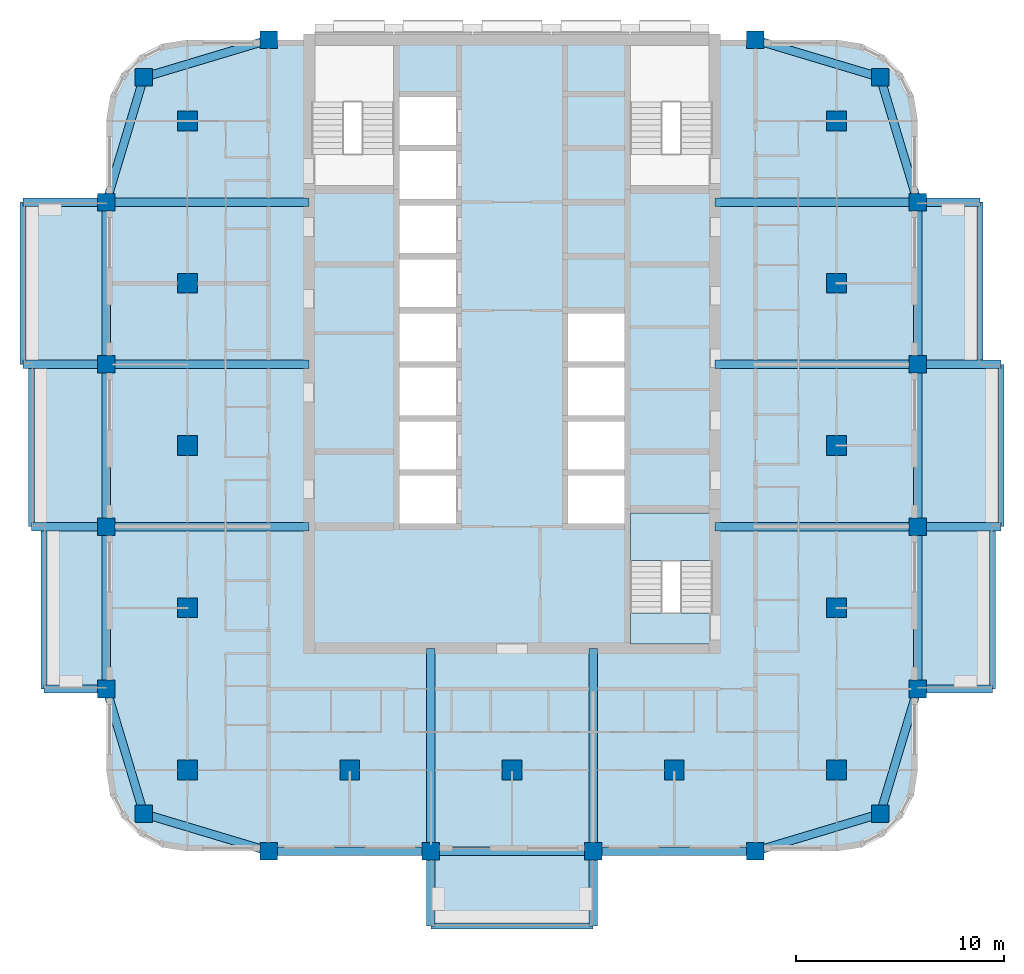
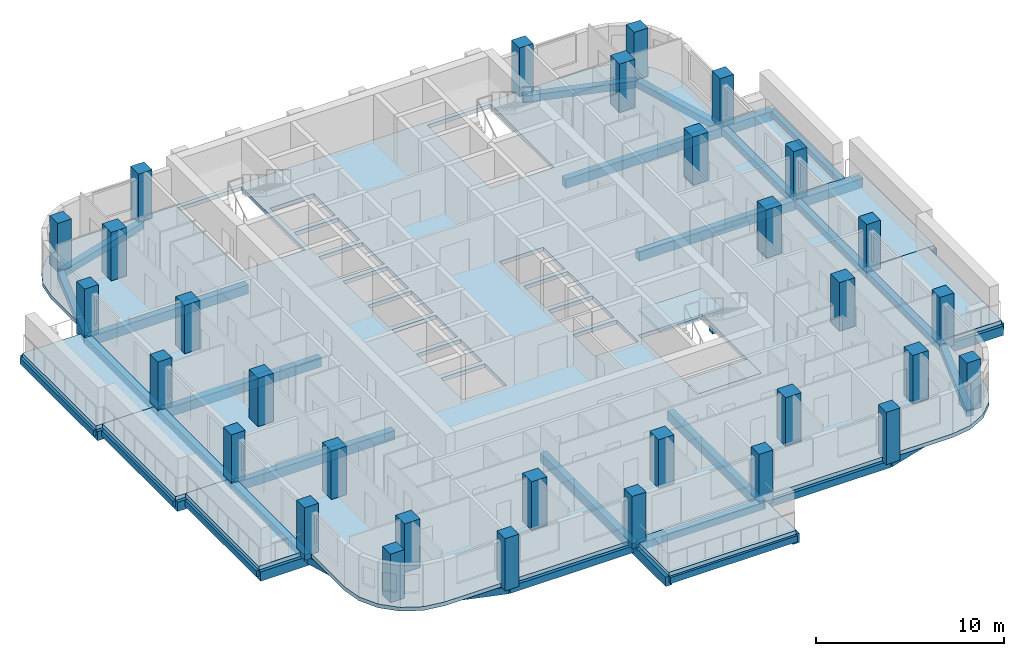
# One storey, part 1 of 13: 42 beams, 31 columns, 10 slabs, 1 element without a shape of its own.
"""IFC4 building model written with IfcOpenShell, lengths in metres."""

from ifc_helpers import new_model, si_unit, direction, frame, origin, origin_2d, place, context, subcontext, project, spatial, polyline, rectangle, outline, extrude, material, layer, layer_set, material_profile, profile_set, type_object, element, aggregate, save


model = new_model("IFC4")

# Units and contexts
model_context = context("Model", 3, precision=1e-05, world=origin(), true_north=direction((0.0, 1.0)))
body_context = subcontext(model_context, "Body", "Model", "MODEL_VIEW")
ifc_project = project(units=[si_unit("LENGTHUNIT", "METRE"), si_unit("AREAUNIT", "SQUARE_METRE"), si_unit("VOLUMEUNIT", "CUBIC_METRE"), si_unit("PLANEANGLEUNIT", "RADIAN"), si_unit("MASSUNIT", "GRAM", prefix="KILO")], contexts=[model_context])

# Site, building, storey
site_placement = place(None, origin())
site = spatial("IfcSite", under=ifc_project, at=site_placement, CompositionType="ELEMENT")
building_placement = place(site_placement, origin())
building = spatial("IfcBuilding", under=site, at=building_placement, Name="Ludao Terraces", CompositionType="ELEMENT")
storey_placement = place(building_placement, frame((0.0, 0.0, 130.5)))
storey = spatial("IfcBuildingStorey", under=building, at=storey_placement, Name="L35", CompositionType="ELEMENT", Elevation=130.5)

# Columns
ifc_material_1 = material(Name="Concrete C50", Category="concrete")
ifc_material_profile_1 = material_profile(ifc_material_1, rectangle(XDim=0.85009765625, YDim=0.85009765625, at=origin_2d()), Name="850 X 850")
ifc_profile_set_1 = profile_set([ifc_material_profile_1], Name="Concrete C50")
column_type_1 = type_object("IfcColumnType", Name="RC column 850x850 C50", PredefinedType="COLUMN", material=ifc_profile_set_1)
for number, where, z_axis, x_axis, name in (
    (1, (67.300048828125, 47.300048828125, -0.25), (0.0, 0.0, 1.0), (1.0, 0.0, 0.0), "Column L35 C0057x0057"),
    (2, (102.699951171875, 47.300048828125, -0.25), (0.0, 0.0, 1.0), (1.0, 0.0, 0.0), "Column L35 C0411x0057"),
    (3, (67.300048828125, 82.699951171875, -0.25), (0.0, 0.0, 1.0), (1.0, 0.0, 0.0), "Column L35 C0057x0411"),
    (4, (102.699951171875, 82.699951171875, -0.25), (0.0, 0.0, 1.0), (1.0, 0.0, 0.0), "Column L35 C0411x0411"),
    (5, (65.5, 53.300048828125, -0.25), (0.0, 0.0, 1.0), (1.0, 0.0, 0.0), "Column L35 W0039x0117"),
    (6, (104.5, 53.300048828125, -0.25), (0.0, 0.0, 1.0), (1.0, 0.0, 0.0), "Column L35 W0429x0117"),
    (7, (73.300048828125, 45.5, -0.25), (0.0, 0.0, 1.0), (1.0, 0.0, 0.0), "Column L35 W0117x0039"),
    (8, (73.300048828125, 84.5, -0.25), (0.0, 0.0, 1.0), (1.0, 0.0, 0.0), "Column L35 W0117x0429"),
    (9, (65.5, 61.10009765625, -0.25), (0.0, 0.0, 1.0), (1.0, 0.0, 0.0), "Column L35 W0039x0195"),
    (10, (104.5, 61.10009765625, -0.25), (0.0, 0.0, 1.0), (1.0, 0.0, 0.0), "Column L35 W0429x0195"),
    (11, (81.10009765625, 45.5, -0.25), (0.0, 0.0, 1.0), (1.0, 0.0, 0.0), "Column L35 W0195x0039"),
    (12, (65.5, 68.89990234375, -0.25), (0.0, 0.0, 1.0), (1.0, 0.0, 0.0), "Column L35 W0039x0273"),
    (13, (104.5, 68.89990234375, -0.25), (0.0, 0.0, 1.0), (1.0, 0.0, 0.0), "Column L35 W0429x0273"),
    (14, (88.89990234375, 45.5, -0.25), (0.0, 0.0, 1.0), (1.0, 0.0, 0.0), "Column L35 W0273x0039"),
    (15, (65.5, 76.699951171875, -0.25), (0.0, 0.0, 1.0), (1.0, 0.0, 0.0), "Column L35 W0039x0351"),
    (16, (104.5, 76.699951171875, -0.25), (0.0, 0.0, 1.0), (1.0, 0.0, 0.0), "Column L35 W0429x0351"),
    (17, (96.699951171875, 45.5, -0.25), (0.0, 0.0, 1.0), (1.0, 0.0, 0.0), "Column L35 W0351x0039"),
    (18, (96.699951171875, 84.5, -0.25), (0.0, 0.0, 1.0), (1.0, 0.0, 0.0), "Column L35 W0351x0429"),
):
    element("IfcColumn", number, at=place(storey_placement, frame(where, z_axis=z_axis, x_axis=x_axis)), inside=storey, type_object=column_type_1, Name=name, PredefinedType="COLUMN", context=body_context, shape_type="SweptSolid", body=[
        extrude(rectangle(XDim=0.85009765625, YDim=0.85009765625, at=origin_2d()), origin(), (0.0, 0.0, 1.0), 3.39990234375),
    ])
ifc_material_profile_2 = material_profile(ifc_material_1, rectangle(XDim=0.949951171875, YDim=0.949951171875, at=origin_2d()), Name="950 X 950")
ifc_profile_set_2 = profile_set([ifc_material_profile_2], Name="Concrete C50")
column_type_2 = type_object("IfcColumnType", Name="RC column 950x950 C50", PredefinedType="COLUMN", material=ifc_profile_set_2)
for number, where, z_axis, x_axis, name in (
    (19, (69.39990234375, 49.39990234375, -0.25), (0.0, 0.0, 1.0), (1.0, 0.0, 0.0), "Column L35 S0078x0078"),
    (20, (69.39990234375, 57.199951171875, -0.25), (0.0, 0.0, 1.0), (1.0, 0.0, 0.0), "Column L35 S0078x0156"),
    (21, (69.39990234375, 65.0, -0.25), (0.0, 0.0, 1.0), (1.0, 0.0, 0.0), "Column L35 S0078x0234"),
    (22, (69.39990234375, 72.800048828125, -0.25), (0.0, 0.0, 1.0), (1.0, 0.0, 0.0), "Column L35 S0078x0312"),
    (23, (69.39990234375, 80.60009765625, -0.25), (0.0, 0.0, 1.0), (1.0, 0.0, 0.0), "Column L35 S0078x0390"),
    (24, (77.199951171875, 49.39990234375, -0.25), (0.0, 0.0, 1.0), (1.0, 0.0, 0.0), "Column L35 S0156x0078"),
    (25, (85.0, 49.39990234375, -0.25), (0.0, 0.0, 1.0), (1.0, 0.0, 0.0), "Column L35 S0234x0078"),
    (26, (92.800048828125, 49.39990234375, -0.25), (0.0, 0.0, 1.0), (1.0, 0.0, 0.0), "Column L35 S0312x0078"),
    (27, (100.60009765625, 49.39990234375, -0.25), (0.0, 0.0, 1.0), (1.0, 0.0, 0.0), "Column L35 S0390x0078"),
    (28, (100.60009765625, 57.199951171875, -0.25), (0.0, 0.0, 1.0), (1.0, 0.0, 0.0), "Column L35 S0390x0156"),
    (29, (100.60009765625, 65.0, -0.25), (0.0, 0.0, 1.0), (1.0, 0.0, 0.0), "Column L35 S0390x0234"),
    (30, (100.60009765625, 72.800048828125, -0.25), (0.0, 0.0, 1.0), (1.0, 0.0, 0.0), "Column L35 S0390x0312"),
    (31, (100.60009765625, 80.60009765625, -0.25), (0.0, 0.0, 1.0), (1.0, 0.0, 0.0), "Column L35 S0390x0390"),
):
    element("IfcColumn", number, at=place(storey_placement, frame(where, z_axis=z_axis, x_axis=x_axis)), inside=storey, type_object=column_type_2, Name=name, PredefinedType="COLUMN", context=body_context, shape_type="SweptSolid", body=[
        extrude(rectangle(XDim=0.949951171875, YDim=0.949951171875, at=origin_2d()), origin(), (0.0, 0.0, 1.0), 3.39990234375),
    ])

# Beams
ifc_material_2 = material(Name="Concrete C40", Category="concrete")
ifc_material_profile_3 = material_profile(ifc_material_2, rectangle(XDim=0.300048828125, YDim=0.39990234375, at=origin_2d()), Name="300 X 400")
ifc_profile_set_3 = profile_set([ifc_material_profile_3], Name="Concrete C40")
beam_type_1 = type_object("IfcBeamType", Name="RC beam 300x400 C40", PredefinedType="BEAM", material=ifc_profile_set_3)
beam_1_placement = place(storey_placement, frame((81.10009765625, 41.89990234375, -0.449951171875), z_axis=(1.0, 0.0, 0.0), x_axis=(0.0, 1.0, 0.0)))
element("IfcBeam", 32, at=beam_1_placement, inside=storey, type_object=beam_type_1, Name="Balcony edge beam L35 S1", PredefinedType="BEAM", context=body_context, shape_type="SweptSolid", body=[
    extrude(rectangle(XDim=0.300048828125, YDim=0.39990234375, at=origin_2d()), origin(), (0.0, 0.0, 1.0), 7.7998046875),
])
beam_2_placement = place(storey_placement, frame((108.10009765625, 53.300048828125, -0.449951171875), z_axis=(0.0, 1.0, 0.0), x_axis=(-1.0, 0.0, 0.0)))
element("IfcBeam", 33, at=beam_2_placement, inside=storey, type_object=beam_type_1, Name="Balcony edge beam L35 E1", PredefinedType="BEAM", context=body_context, shape_type="SweptSolid", body=[
    extrude(rectangle(XDim=0.300048828125, YDim=0.39990234375, at=origin_2d()), origin(), (0.0, 0.0, 1.0), 7.800048828125),
])
beam_3_placement = place(storey_placement, frame((108.5, 61.10009765625, -0.449951171875), z_axis=(0.0, 1.0, 0.0), x_axis=(-1.0, 0.0, 0.0)))
element("IfcBeam", 34, at=beam_3_placement, inside=storey, type_object=beam_type_1, Name="Balcony edge beam L35 E2", PredefinedType="BEAM", context=body_context, shape_type="SweptSolid", body=[
    extrude(rectangle(XDim=0.300048828125, YDim=0.39990234375, at=origin_2d()), origin(), (0.0, 0.0, 1.0), 7.7998046875),
])
for number, where, z_axis, x_axis, name in (
    (35, (107.5, 68.89990234375, -0.449951171875), (0.0, 1.0, 0.0), (-1.0, 0.0, 0.0), "Balcony edge beam L35 E3"),
    (36, (62.5, 53.300048828125, -0.449951171875), (0.0, 1.0, 0.0), (-1.0, 0.0, 0.0), "Balcony edge beam L35 W1"),
):
    element("IfcBeam", number, at=place(storey_placement, frame(where, z_axis=z_axis, x_axis=x_axis)), inside=storey, type_object=beam_type_1, Name=name, PredefinedType="BEAM", context=body_context, shape_type="SweptSolid", body=[
        extrude(rectangle(XDim=0.300048828125, YDim=0.39990234375, at=origin_2d()), origin(), (0.0, 0.0, 1.0), 7.800048828125),
    ])
beam_4_placement = place(storey_placement, frame((61.89990234375, 61.10009765625, -0.449951171875), z_axis=(0.0, 1.0, 0.0), x_axis=(-1.0, 0.0, 0.0)))
element("IfcBeam", 37, at=beam_4_placement, inside=storey, type_object=beam_type_1, Name="Balcony edge beam L35 W2", PredefinedType="BEAM", context=body_context, shape_type="SweptSolid", body=[
    extrude(rectangle(XDim=0.300048828125, YDim=0.39990234375, at=origin_2d()), origin(), (0.0, 0.0, 1.0), 7.7998046875),
])
beam_5_placement = place(storey_placement, frame((61.5, 68.89990234375, -0.449951171875), z_axis=(0.0, 1.0, 0.0), x_axis=(-1.0, 0.0, 0.0)))
element("IfcBeam", 38, at=beam_5_placement, inside=storey, type_object=beam_type_1, Name="Balcony edge beam L35 W3", PredefinedType="BEAM", context=body_context, shape_type="SweptSolid", body=[
    extrude(rectangle(XDim=0.300048828125, YDim=0.39990234375, at=origin_2d()), origin(), (0.0, 0.0, 1.0), 7.800048828125),
])
ifc_material_profile_4 = material_profile(ifc_material_2, rectangle(XDim=0.39990234375, YDim=0.449951171875, at=origin_2d()), Name="400 X 450")
ifc_profile_set_4 = profile_set([ifc_material_profile_4], Name="Concrete C40")
beam_type_2 = type_object("IfcBeamType", Name="RC beam 400x450 C40", PredefinedType="BEAM", material=ifc_profile_set_4)
beam_6_placement = place(storey_placement, frame((67.300048828125, 47.300048828125, -0.47509765625), z_axis=(0.957824139839, -0.287355036744, 0.0), x_axis=(0.287355036744, 0.957824139839, 0.0)))
element("IfcBeam", 39, at=beam_6_placement, inside=storey, type_object=beam_type_2, Name="Spandrel beam L35 S1", PredefinedType="BEAM", context=body_context, shape_type="SweptSolid", body=[
    extrude(rectangle(XDim=0.39990234375, YDim=0.449951171875, at=origin_2d()), origin(), (0.0, 0.0, 1.0), 6.26416015625),
])
beam_7_placement = place(storey_placement, frame((73.300048828125, 45.5, -0.47509765625), z_axis=(1.0, 0.0, 0.0), x_axis=(0.0, 1.0, 0.0)))
element("IfcBeam", 40, at=beam_7_placement, inside=storey, type_object=beam_type_2, Name="Spandrel beam L35 S2", PredefinedType="BEAM", context=body_context, shape_type="SweptSolid", body=[
    extrude(rectangle(XDim=0.39990234375, YDim=0.449951171875, at=origin_2d()), origin(), (0.0, 0.0, 1.0), 7.800048828125),
])
beam_8_placement = place(storey_placement, frame((81.10009765625, 45.5, -0.47509765625), z_axis=(1.0, 0.0, 0.0), x_axis=(0.0, 1.0, 0.0)))
element("IfcBeam", 41, at=beam_8_placement, inside=storey, type_object=beam_type_2, Name="Spandrel beam L35 S3", PredefinedType="BEAM", context=body_context, shape_type="SweptSolid", body=[
    extrude(rectangle(XDim=0.39990234375, YDim=0.449951171875, at=origin_2d()), origin(), (0.0, 0.0, 1.0), 7.7998046875),
])
beam_9_placement = place(storey_placement, frame((88.89990234375, 45.5, -0.47509765625), z_axis=(1.0, 0.0, 0.0), x_axis=(0.0, 1.0, 0.0)))
element("IfcBeam", 42, at=beam_9_placement, inside=storey, type_object=beam_type_2, Name="Spandrel beam L35 S4", PredefinedType="BEAM", context=body_context, shape_type="SweptSolid", body=[
    extrude(rectangle(XDim=0.39990234375, YDim=0.449951171875, at=origin_2d()), origin(), (0.0, 0.0, 1.0), 7.800048828125),
])
for number, where, z_axis, x_axis, name in (
    (43, (96.699951171875, 45.5, -0.47509765625), (0.957824139839, 0.287355036744, 0.0), (-0.287355036744, 0.957824139839, 0.0), "Spandrel beam L35 S5"),
    (44, (67.300048828125, 82.699951171875, -0.47509765625), (0.957824139839, 0.287355036744, 0.0), (-0.287355036744, 0.957824139839, 0.0), "Spandrel beam L35 N6"),
    (45, (96.699951171875, 84.5, -0.47509765625), (0.957824139839, -0.287355036744, 0.0), (0.287355036744, 0.957824139839, 0.0), "Spandrel beam L35 N7"),
    (46, (67.300048828125, 47.300048828125, -0.47509765625), (-0.287355036744, 0.957824139839, 0.0), (-0.957824139839, -0.287355036744, 0.0), "Spandrel beam L35 W8"),
):
    element("IfcBeam", number, at=place(storey_placement, frame(where, z_axis=z_axis, x_axis=x_axis)), inside=storey, type_object=beam_type_2, Name=name, PredefinedType="BEAM", context=body_context, shape_type="SweptSolid", body=[
        extrude(rectangle(XDim=0.39990234375, YDim=0.449951171875, at=origin_2d()), origin(), (0.0, 0.0, 1.0), 6.26416015625),
    ])
beam_10_placement = place(storey_placement, frame((65.5, 53.300048828125, -0.47509765625), z_axis=(0.0, 1.0, 0.0), x_axis=(-1.0, 0.0, 0.0)))
element("IfcBeam", 47, at=beam_10_placement, inside=storey, type_object=beam_type_2, Name="Spandrel beam L35 W9", PredefinedType="BEAM", context=body_context, shape_type="SweptSolid", body=[
    extrude(rectangle(XDim=0.39990234375, YDim=0.449951171875, at=origin_2d()), origin(), (0.0, 0.0, 1.0), 7.800048828125),
])
beam_11_placement = place(storey_placement, frame((65.5, 61.10009765625, -0.47509765625), z_axis=(0.0, 1.0, 0.0), x_axis=(-1.0, 0.0, 0.0)))
element("IfcBeam", 48, at=beam_11_placement, inside=storey, type_object=beam_type_2, Name="Spandrel beam L35 W10", PredefinedType="BEAM", context=body_context, shape_type="SweptSolid", body=[
    extrude(rectangle(XDim=0.39990234375, YDim=0.449951171875, at=origin_2d()), origin(), (0.0, 0.0, 1.0), 7.7998046875),
])
beam_12_placement = place(storey_placement, frame((65.5, 68.89990234375, -0.47509765625), z_axis=(0.0, 1.0, 0.0), x_axis=(-1.0, 0.0, 0.0)))
element("IfcBeam", 49, at=beam_12_placement, inside=storey, type_object=beam_type_2, Name="Spandrel beam L35 W11", PredefinedType="BEAM", context=body_context, shape_type="SweptSolid", body=[
    extrude(rectangle(XDim=0.39990234375, YDim=0.449951171875, at=origin_2d()), origin(), (0.0, 0.0, 1.0), 7.800048828125),
])
for number, where, z_axis, x_axis, name in (
    (50, (65.5, 76.699951171875, -0.47509765625), (0.287355036744, 0.957824139839, 0.0), (-0.957824139839, 0.287355036744, 0.0), "Spandrel beam L35 W12"),
    (51, (102.699951171875, 47.300048828125, -0.47509765625), (0.287355036744, 0.957824139839, 0.0), (-0.957824139839, 0.287355036744, 0.0), "Spandrel beam L35 E13"),
):
    element("IfcBeam", number, at=place(storey_placement, frame(where, z_axis=z_axis, x_axis=x_axis)), inside=storey, type_object=beam_type_2, Name=name, PredefinedType="BEAM", context=body_context, shape_type="SweptSolid", body=[
        extrude(rectangle(XDim=0.39990234375, YDim=0.449951171875, at=origin_2d()), origin(), (0.0, 0.0, 1.0), 6.26416015625),
    ])
beam_13_placement = place(storey_placement, frame((104.5, 53.300048828125, -0.47509765625), z_axis=(0.0, 1.0, 0.0), x_axis=(-1.0, 0.0, 0.0)))
element("IfcBeam", 52, at=beam_13_placement, inside=storey, type_object=beam_type_2, Name="Spandrel beam L35 E14", PredefinedType="BEAM", context=body_context, shape_type="SweptSolid", body=[
    extrude(rectangle(XDim=0.39990234375, YDim=0.449951171875, at=origin_2d()), origin(), (0.0, 0.0, 1.0), 7.800048828125),
])
beam_14_placement = place(storey_placement, frame((104.5, 61.10009765625, -0.47509765625), z_axis=(0.0, 1.0, 0.0), x_axis=(-1.0, 0.0, 0.0)))
element("IfcBeam", 53, at=beam_14_placement, inside=storey, type_object=beam_type_2, Name="Spandrel beam L35 E15", PredefinedType="BEAM", context=body_context, shape_type="SweptSolid", body=[
    extrude(rectangle(XDim=0.39990234375, YDim=0.449951171875, at=origin_2d()), origin(), (0.0, 0.0, 1.0), 7.7998046875),
])
beam_15_placement = place(storey_placement, frame((104.5, 68.89990234375, -0.47509765625), z_axis=(0.0, 1.0, 0.0), x_axis=(-1.0, 0.0, 0.0)))
element("IfcBeam", 54, at=beam_15_placement, inside=storey, type_object=beam_type_2, Name="Spandrel beam L35 E16", PredefinedType="BEAM", context=body_context, shape_type="SweptSolid", body=[
    extrude(rectangle(XDim=0.39990234375, YDim=0.449951171875, at=origin_2d()), origin(), (0.0, 0.0, 1.0), 7.800048828125),
])
beam_16_placement = place(storey_placement, frame((104.5, 76.699951171875, -0.47509765625), z_axis=(-0.287355036744, 0.957824139839, 0.0), x_axis=(-0.957824139839, -0.287355036744, 0.0)))
element("IfcBeam", 55, at=beam_16_placement, inside=storey, type_object=beam_type_2, Name="Spandrel beam L35 E17", PredefinedType="BEAM", context=body_context, shape_type="SweptSolid", body=[
    extrude(rectangle(XDim=0.39990234375, YDim=0.449951171875, at=origin_2d()), origin(), (0.0, 0.0, 1.0), 6.26416015625),
])
ifc_material_profile_5 = material_profile(ifc_material_2, rectangle(XDim=0.39990234375, YDim=0.60009765625, at=origin_2d()), Name="400 X 600")
ifc_profile_set_5 = profile_set([ifc_material_profile_5], Name="Concrete C40")
beam_type_3 = type_object("IfcBeamType", Name="RC beam 400x600 C40", PredefinedType="BEAM", material=ifc_profile_set_5)
beam_17_placement = place(storey_placement, frame((104.5, 53.300048828125, -0.550048828125), z_axis=(1.0, 0.0, 0.0), x_axis=(0.0, 1.0, 0.0)))
element("IfcBeam", 56, at=beam_17_placement, inside=storey, type_object=beam_type_3, Name="Balcony beam L35 E533", PredefinedType="BEAM", context=body_context, shape_type="SweptSolid", body=[
    extrude(rectangle(XDim=0.39990234375, YDim=0.60009765625, at=origin_2d()), origin(), (0.0, 0.0, 1.0), 3.60009765625),
])
beam_18_placement = place(storey_placement, frame((94.75, 61.10009765625, -0.550048828125), z_axis=(1.0, 0.0, 0.0), x_axis=(0.0, 1.0, 0.0)))
element("IfcBeam", 57, at=beam_18_placement, inside=storey, type_object=beam_type_3, Name="Balcony beam L35 E611", PredefinedType="BEAM", context=body_context, shape_type="SweptSolid", body=[
    extrude(rectangle(XDim=0.39990234375, YDim=0.60009765625, at=origin_2d()), origin(), (0.0, 0.0, 1.0), 9.75),
])
beam_19_placement = place(storey_placement, frame((104.5, 61.10009765625, -0.550048828125), z_axis=(1.0, 0.0, 0.0), x_axis=(0.0, 1.0, 0.0)))
element("IfcBeam", 58, at=beam_19_placement, inside=storey, type_object=beam_type_3, Name="Balcony beam L35 E611", PredefinedType="BEAM", context=body_context, shape_type="SweptSolid", body=[
    extrude(rectangle(XDim=0.39990234375, YDim=0.60009765625, at=origin_2d()), origin(), (0.0, 0.0, 1.0), 4.0),
])
beam_20_placement = place(storey_placement, frame((94.75, 68.89990234375, -0.550048828125), z_axis=(1.0, 0.0, 0.0), x_axis=(0.0, 1.0, 0.0)))
element("IfcBeam", 59, at=beam_20_placement, inside=storey, type_object=beam_type_3, Name="Balcony beam L35 E689", PredefinedType="BEAM", context=body_context, shape_type="SweptSolid", body=[
    extrude(rectangle(XDim=0.39990234375, YDim=0.60009765625, at=origin_2d()), origin(), (0.0, 0.0, 1.0), 9.75),
])
beam_21_placement = place(storey_placement, frame((104.5, 68.89990234375, -0.550048828125), z_axis=(1.0, 0.0, 0.0), x_axis=(0.0, 1.0, 0.0)))
element("IfcBeam", 60, at=beam_21_placement, inside=storey, type_object=beam_type_3, Name="Balcony beam L35 E689", PredefinedType="BEAM", context=body_context, shape_type="SweptSolid", body=[
    extrude(rectangle(XDim=0.39990234375, YDim=0.60009765625, at=origin_2d()), origin(), (0.0, 0.0, 1.0), 4.0),
])
beam_22_placement = place(storey_placement, frame((94.75, 76.699951171875, -0.550048828125), z_axis=(1.0, 0.0, 0.0), x_axis=(0.0, 1.0, 0.0)))
element("IfcBeam", 61, at=beam_22_placement, inside=storey, type_object=beam_type_3, Name="Balcony beam L35 E767", PredefinedType="BEAM", context=body_context, shape_type="SweptSolid", body=[
    extrude(rectangle(XDim=0.39990234375, YDim=0.60009765625, at=origin_2d()), origin(), (0.0, 0.0, 1.0), 9.75),
])
beam_23_placement = place(storey_placement, frame((104.5, 76.699951171875, -0.550048828125), z_axis=(1.0, 0.0, 0.0), x_axis=(0.0, 1.0, 0.0)))
element("IfcBeam", 62, at=beam_23_placement, inside=storey, type_object=beam_type_3, Name="Balcony beam L35 E767", PredefinedType="BEAM", context=body_context, shape_type="SweptSolid", body=[
    extrude(rectangle(XDim=0.39990234375, YDim=0.60009765625, at=origin_2d()), origin(), (0.0, 0.0, 1.0), 3.0),
])
beam_24_placement = place(storey_placement, frame((81.10009765625, 55.25, -0.550048828125), z_axis=(0.0, -1.0, 0.0), x_axis=(1.0, 0.0, 0.0)))
element("IfcBeam", 63, at=beam_24_placement, inside=storey, type_object=beam_type_3, Name="Balcony beam L35 S811", PredefinedType="BEAM", context=body_context, shape_type="SweptSolid", body=[
    extrude(rectangle(XDim=0.39990234375, YDim=0.60009765625, at=origin_2d()), origin(), (0.0, 0.0, 1.0), 9.75),
])
beam_25_placement = place(storey_placement, frame((81.10009765625, 45.5, -0.550048828125), z_axis=(0.0, -1.0, 0.0), x_axis=(1.0, 0.0, 0.0)))
element("IfcBeam", 64, at=beam_25_placement, inside=storey, type_object=beam_type_3, Name="Balcony beam L35 S811", PredefinedType="BEAM", context=body_context, shape_type="SweptSolid", body=[
    extrude(rectangle(XDim=0.39990234375, YDim=0.60009765625, at=origin_2d()), origin(), (0.0, 0.0, 1.0), 3.60009765625),
])
beam_26_placement = place(storey_placement, frame((88.89990234375, 55.25, -0.550048828125), z_axis=(0.0, -1.0, 0.0), x_axis=(1.0, 0.0, 0.0)))
element("IfcBeam", 65, at=beam_26_placement, inside=storey, type_object=beam_type_3, Name="Balcony beam L35 S889", PredefinedType="BEAM", context=body_context, shape_type="SweptSolid", body=[
    extrude(rectangle(XDim=0.39990234375, YDim=0.60009765625, at=origin_2d()), origin(), (0.0, 0.0, 1.0), 9.75),
])
beam_27_placement = place(storey_placement, frame((88.89990234375, 45.5, -0.550048828125), z_axis=(0.0, -1.0, 0.0), x_axis=(1.0, 0.0, 0.0)))
element("IfcBeam", 66, at=beam_27_placement, inside=storey, type_object=beam_type_3, Name="Balcony beam L35 S889", PredefinedType="BEAM", context=body_context, shape_type="SweptSolid", body=[
    extrude(rectangle(XDim=0.39990234375, YDim=0.60009765625, at=origin_2d()), origin(), (0.0, 0.0, 1.0), 3.60009765625),
])
beam_28_placement = place(storey_placement, frame((65.5, 53.300048828125, -0.550048828125), z_axis=(-1.0, 0.0, 0.0), x_axis=(0.0, -1.0, 0.0)))
element("IfcBeam", 67, at=beam_28_placement, inside=storey, type_object=beam_type_3, Name="Balcony beam L35 W533", PredefinedType="BEAM", context=body_context, shape_type="SweptSolid", body=[
    extrude(rectangle(XDim=0.39990234375, YDim=0.60009765625, at=origin_2d()), origin(), (0.0, 0.0, 1.0), 3.0),
])
beam_29_placement = place(storey_placement, frame((75.25, 61.10009765625, -0.550048828125), z_axis=(-1.0, 0.0, 0.0), x_axis=(0.0, -1.0, 0.0)))
element("IfcBeam", 68, at=beam_29_placement, inside=storey, type_object=beam_type_3, Name="Balcony beam L35 W611", PredefinedType="BEAM", context=body_context, shape_type="SweptSolid", body=[
    extrude(rectangle(XDim=0.39990234375, YDim=0.60009765625, at=origin_2d()), origin(), (0.0, 0.0, 1.0), 9.75),
])
beam_30_placement = place(storey_placement, frame((65.5, 61.10009765625, -0.550048828125), z_axis=(-1.0, 0.0, 0.0), x_axis=(0.0, -1.0, 0.0)))
element("IfcBeam", 69, at=beam_30_placement, inside=storey, type_object=beam_type_3, Name="Balcony beam L35 W611", PredefinedType="BEAM", context=body_context, shape_type="SweptSolid", body=[
    extrude(rectangle(XDim=0.39990234375, YDim=0.60009765625, at=origin_2d()), origin(), (0.0, 0.0, 1.0), 3.60009765625),
])
beam_31_placement = place(storey_placement, frame((75.25, 68.89990234375, -0.550048828125), z_axis=(-1.0, 0.0, 0.0), x_axis=(0.0, -1.0, 0.0)))
element("IfcBeam", 70, at=beam_31_placement, inside=storey, type_object=beam_type_3, Name="Balcony beam L35 W689", PredefinedType="BEAM", context=body_context, shape_type="SweptSolid", body=[
    extrude(rectangle(XDim=0.39990234375, YDim=0.60009765625, at=origin_2d()), origin(), (0.0, 0.0, 1.0), 9.75),
])
beam_32_placement = place(storey_placement, frame((65.5, 68.89990234375, -0.550048828125), z_axis=(-1.0, 0.0, 0.0), x_axis=(0.0, -1.0, 0.0)))
element("IfcBeam", 71, at=beam_32_placement, inside=storey, type_object=beam_type_3, Name="Balcony beam L35 W689", PredefinedType="BEAM", context=body_context, shape_type="SweptSolid", body=[
    extrude(rectangle(XDim=0.39990234375, YDim=0.60009765625, at=origin_2d()), origin(), (0.0, 0.0, 1.0), 4.0),
])
beam_33_placement = place(storey_placement, frame((75.25, 76.699951171875, -0.550048828125), z_axis=(-1.0, 0.0, 0.0), x_axis=(0.0, -1.0, 0.0)))
element("IfcBeam", 72, at=beam_33_placement, inside=storey, type_object=beam_type_3, Name="Balcony beam L35 W767", PredefinedType="BEAM", context=body_context, shape_type="SweptSolid", body=[
    extrude(rectangle(XDim=0.39990234375, YDim=0.60009765625, at=origin_2d()), origin(), (0.0, 0.0, 1.0), 9.75),
])
beam_34_placement = place(storey_placement, frame((65.5, 76.699951171875, -0.550048828125), z_axis=(-1.0, 0.0, 0.0), x_axis=(0.0, -1.0, 0.0)))
element("IfcBeam", 73, at=beam_34_placement, inside=storey, type_object=beam_type_3, Name="Balcony beam L35 W767", PredefinedType="BEAM", context=body_context, shape_type="SweptSolid", body=[
    extrude(rectangle(XDim=0.39990234375, YDim=0.60009765625, at=origin_2d()), origin(), (0.0, 0.0, 1.0), 4.0),
])

# Slabs
ifc_layer_1 = layer(ifc_material_2, 0.25)
ifc_layer_set_1 = layer_set([ifc_layer_1], Name="Balcony slab 250 C40")
slab_type_1 = type_object("IfcSlabType", Name="Balcony slab 250 C40", PredefinedType="USERDEFINED", material=ifc_layer_set_1)
slab_1_placement = place(storey_placement, frame((0.0, 0.0, -0.25)))
element("IfcSlab", 74, at=slab_1_placement, inside=storey, type_object=slab_type_1, Name="Balcony L35 S1", ObjectType="BALCONY", PredefinedType="USERDEFINED", context=body_context, shape_type="SweptSolid", body=[
    extrude(outline(polyline([(81.10009765625, 41.89990234375), (88.89990234375, 41.89990234375), (88.89990234375, 45.5), (81.10009765625, 45.5), (81.10009765625, 41.89990234375)])), origin(), (0.0, 0.0, 1.0), 0.25),
])
slab_2_placement = place(storey_placement, frame((0.0, 0.0, -0.25)))
element("IfcSlab", 75, at=slab_2_placement, inside=storey, type_object=slab_type_1, Name="Balcony L35 E1", ObjectType="BALCONY", PredefinedType="USERDEFINED", context=body_context, shape_type="SweptSolid", body=[
    extrude(outline(polyline([(104.5, 53.300048828125), (108.10009765625, 53.300048828125), (108.10009765625, 61.10009765625), (104.5, 61.10009765625), (104.5, 53.300048828125)])), origin(), (0.0, 0.0, 1.0), 0.25),
])
slab_3_placement = place(storey_placement, frame((0.0, 0.0, -0.25)))
element("IfcSlab", 76, at=slab_3_placement, inside=storey, type_object=slab_type_1, Name="Balcony L35 E2", ObjectType="BALCONY", PredefinedType="USERDEFINED", context=body_context, shape_type="SweptSolid", body=[
    extrude(outline(polyline([(104.5, 61.10009765625), (108.5, 61.10009765625), (108.5, 68.89990234375), (104.5, 68.89990234375), (104.5, 61.10009765625)])), origin(), (0.0, 0.0, 1.0), 0.25),
])
slab_4_placement = place(storey_placement, frame((0.0, 0.0, -0.25)))
element("IfcSlab", 77, at=slab_4_placement, inside=storey, type_object=slab_type_1, Name="Balcony L35 E3", ObjectType="BALCONY", PredefinedType="USERDEFINED", context=body_context, shape_type="SweptSolid", body=[
    extrude(outline(polyline([(104.5, 68.89990234375), (107.5, 68.89990234375), (107.5, 76.699951171875), (104.5, 76.699951171875), (104.5, 68.89990234375)])), origin(), (0.0, 0.0, 1.0), 0.25),
])
slab_5_placement = place(storey_placement, frame((0.0, 0.0, -0.25)))
element("IfcSlab", 78, at=slab_5_placement, inside=storey, type_object=slab_type_1, Name="Balcony L35 W1", ObjectType="BALCONY", PredefinedType="USERDEFINED", context=body_context, shape_type="SweptSolid", body=[
    extrude(outline(polyline([(62.5, 53.300048828125), (65.5, 53.300048828125), (65.5, 61.10009765625), (62.5, 61.10009765625), (62.5, 53.300048828125)])), origin(), (0.0, 0.0, 1.0), 0.25),
])
slab_6_placement = place(storey_placement, frame((0.0, 0.0, -0.25)))
element("IfcSlab", 79, at=slab_6_placement, inside=storey, type_object=slab_type_1, Name="Balcony L35 W2", ObjectType="BALCONY", PredefinedType="USERDEFINED", context=body_context, shape_type="SweptSolid", body=[
    extrude(outline(polyline([(61.89990234375, 61.10009765625), (65.5, 61.10009765625), (65.5, 68.89990234375), (61.89990234375, 68.89990234375), (61.89990234375, 61.10009765625)])), origin(), (0.0, 0.0, 1.0), 0.25),
])
slab_7_placement = place(storey_placement, frame((0.0, 0.0, -0.25)))
element("IfcSlab", 80, at=slab_7_placement, inside=storey, type_object=slab_type_1, Name="Balcony L35 W3", ObjectType="BALCONY", PredefinedType="USERDEFINED", context=body_context, shape_type="SweptSolid", body=[
    extrude(outline(polyline([(61.5, 68.89990234375), (65.5, 68.89990234375), (65.5, 76.699951171875), (61.5, 76.699951171875), (61.5, 68.89990234375)])), origin(), (0.0, 0.0, 1.0), 0.25),
])
ifc_layer_2 = layer(ifc_material_2, 0.25)
ifc_layer_set_2 = layer_set([ifc_layer_2], Name="Floor slab 250 C40")
slab_type_2 = type_object("IfcSlabType", Name="Floor slab 250 C40", PredefinedType="FLOOR", material=ifc_layer_set_2)
slab_8_placement = place(storey_placement, frame((0.0, 0.0, -0.25)))
element("IfcSlab", 81, at=slab_8_placement, inside=storey, type_object=slab_type_2, Name="Slab L35", PredefinedType="FLOOR", context=body_context, shape_type="SweptSolid", body=[
    extrude(outline(polyline([(100.60009765625, 45.5), (101.80517578125, 45.69091796875), (102.892333984375, 46.244873046875), (103.755126953125, 47.107666015625), (104.30908203125, 48.19482421875), (104.5, 49.39990234375), (104.5, 80.60009765625), (104.30908203125, 81.80517578125), (103.755126953125, 82.892333984375), (102.892333984375, 83.755126953125), (101.80517578125, 84.30908203125), (100.60009765625, 84.5), (69.39990234375, 84.5), (68.19482421875, 84.30908203125), (67.107666015625, 83.755126953125), (66.244873046875, 82.892333984375), (65.69091796875, 81.80517578125), (65.5, 80.60009765625), (65.5, 49.39990234375), (65.69091796875, 48.19482421875), (66.244873046875, 47.107666015625), (67.107666015625, 46.244873046875), (68.19482421875, 45.69091796875), (69.39990234375, 45.5), (100.60009765625, 45.5)]), holes=[polyline([(79.60009765625, 61.25), (82.300048828125, 61.25), (82.300048828125, 63.550048828125), (79.60009765625, 63.550048828125), (79.60009765625, 61.25)]), polyline([(79.60009765625, 63.85009765625), (82.300048828125, 63.85009765625), (82.300048828125, 66.14990234375), (79.60009765625, 66.14990234375), (79.60009765625, 63.85009765625)]), polyline([(79.60009765625, 66.449951171875), (82.300048828125, 66.449951171875), (82.300048828125, 68.75), (79.60009765625, 68.75), (79.60009765625, 66.449951171875)]), polyline([(79.60009765625, 69.050048828125), (82.300048828125, 69.050048828125), (82.300048828125, 71.35009765625), (79.60009765625, 71.35009765625), (79.60009765625, 69.050048828125)]), polyline([(79.60009765625, 71.64990234375), (82.300048828125, 71.64990234375), (82.300048828125, 73.949951171875), (79.60009765625, 73.949951171875), (79.60009765625, 71.64990234375)]), polyline([(79.60009765625, 74.25), (82.300048828125, 74.25), (82.300048828125, 76.550048828125), (79.60009765625, 76.550048828125), (79.60009765625, 74.25)]), polyline([(79.60009765625, 76.85009765625), (82.300048828125, 76.85009765625), (82.300048828125, 79.14990234375), (79.60009765625, 79.14990234375), (79.60009765625, 76.85009765625)]), polyline([(79.60009765625, 79.449951171875), (82.300048828125, 79.449951171875), (82.300048828125, 81.75), (79.60009765625, 81.75), (79.60009765625, 79.449951171875)]), polyline([(87.699951171875, 61.25), (90.39990234375, 61.25), (90.39990234375, 63.550048828125), (87.699951171875, 63.550048828125), (87.699951171875, 61.25)]), polyline([(87.699951171875, 63.85009765625), (90.39990234375, 63.85009765625), (90.39990234375, 66.14990234375), (87.699951171875, 66.14990234375), (87.699951171875, 63.85009765625)]), polyline([(87.699951171875, 66.449951171875), (90.39990234375, 66.449951171875), (90.39990234375, 68.75), (87.699951171875, 68.75), (87.699951171875, 66.449951171875)]), polyline([(87.699951171875, 69.050048828125), (90.39990234375, 69.050048828125), (90.39990234375, 71.35009765625), (87.699951171875, 71.35009765625), (87.699951171875, 69.050048828125)]), polyline([(75.39990234375, 77.5), (79.300048828125, 77.5), (79.300048828125, 84.239990234375), (75.39990234375, 84.239990234375), (75.39990234375, 77.5)]), polyline([(90.699951171875, 77.5), (94.60009765625, 77.5), (94.60009765625, 84.239990234375), (90.699951171875, 84.239990234375), (90.699951171875, 77.5)]), polyline([(90.699951171875, 55.449951171875), (94.60009765625, 55.449951171875), (94.60009765625, 61.75), (90.699951171875, 61.75), (90.699951171875, 55.449951171875)])]), origin(), (0.0, 0.0, 1.0), 0.25),
])

# Stair, slabs
stair_type = type_object("IfcStairType", Name="INT Stair", PredefinedType="HALF_TURN_STAIR", material=ifc_material_2)
stair_placement = place(storey_placement, origin())
stair = element("IfcStair", 82, at=stair_placement, inside=storey, type_object=stair_type, Name="EXIT STAIR 3", PredefinedType="HALF_TURN_STAIR")
ifc_layer_3 = layer(ifc_material_2, 0.199951171875)
ifc_layer_set_3 = layer_set([ifc_layer_3], Name="INT Stair landing 200")
slab_type_3 = type_object("IfcSlabType", Name="INT Stair landing 200", PredefinedType="LANDING", material=ifc_layer_set_3)
slab_9_placement = place(storey_placement, frame((0.0, 0.0, 1.5)))
slab_9 = element("IfcSlab", 83, at=slab_9_placement, type_object=slab_type_3, Name="ST3 landing 1", PredefinedType="LANDING", context=body_context, shape_type="SweptSolid", body=[
    extrude(outline(polyline([(90.699951171875, 59.469970703125), (94.60009765625, 59.469970703125), (94.60009765625, 61.75), (90.699951171875, 61.75), (90.699951171875, 59.469970703125)])), origin(), (0.0, 0.0, 1.0), 0.199951171875),
])
slab_10_placement = place(storey_placement, frame((0.0, 0.0, -0.199951171875)))
slab_10 = element("IfcSlab", 84, at=slab_10_placement, type_object=slab_type_3, Name="ST3 landing 2", PredefinedType="LANDING", context=body_context, shape_type="SweptSolid", body=[
    extrude(outline(polyline([(90.699951171875, 55.449951171875), (94.60009765625, 55.449951171875), (94.60009765625, 56.949951171875), (90.699951171875, 56.949951171875), (90.699951171875, 55.449951171875)])), origin(), (0.0, 0.0, 1.0), 0.199951171875),
])
aggregate(stair, [slab_9, slab_10])

save(model, "model.ifc")
